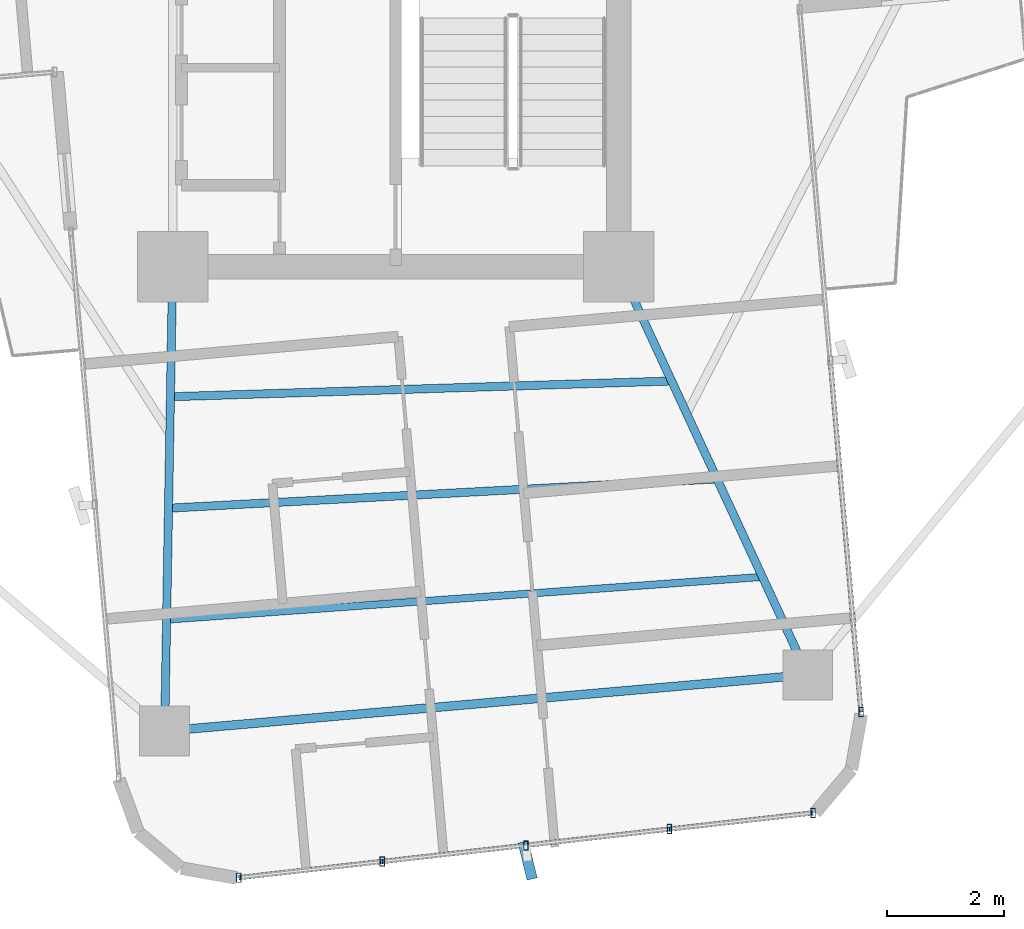
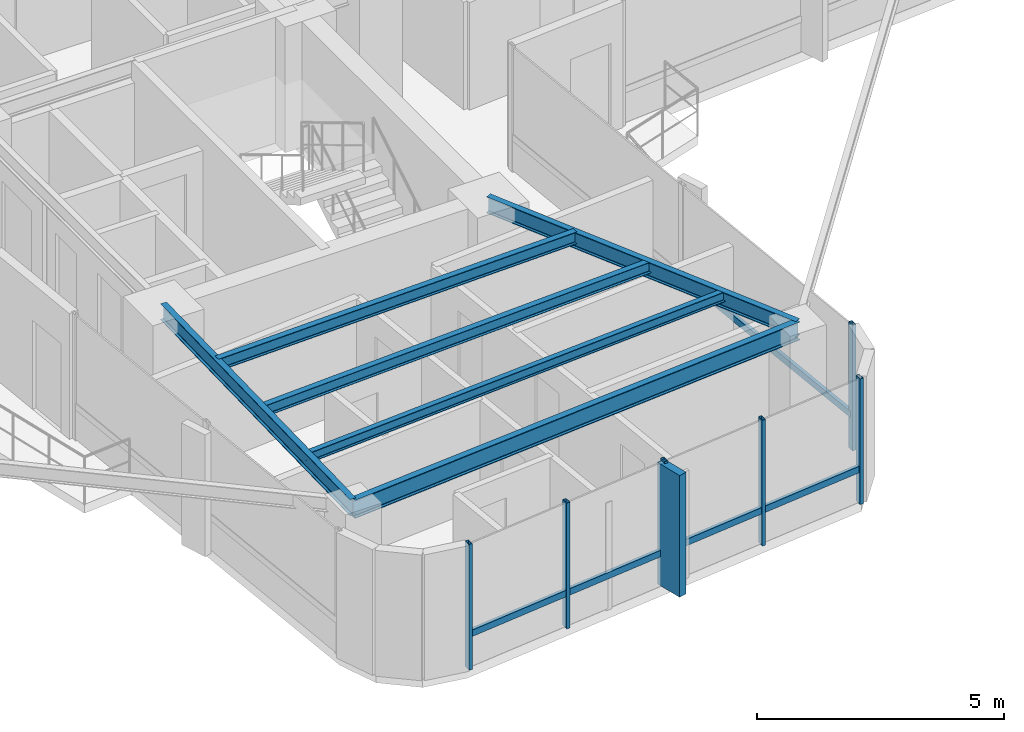
# One storey, part 6 of 24: 12 members, 6 beams, 2 elements without a shape of their own.
"""IFC4 building model written with IfcOpenShell, lengths in metres."""

from ifc_helpers import new_model, si_unit, direction, frame, origin, origin_2d, place, context, subcontext, project, spatial, rectangle, hollow_rectangle, i_section, extrude, source, transform, mapped, material, material_profile, profile_set, type_object, element, aggregate, save


model = new_model("IFC4")

# Units and contexts
model_context = context("Model", 3, precision=1e-05, world=origin(), true_north=direction((0.0, 1.0)))
body_context = subcontext(model_context, "Body", "Model", "MODEL_VIEW")
ifc_project = project(units=[si_unit("LENGTHUNIT", "METRE"), si_unit("AREAUNIT", "SQUARE_METRE"), si_unit("VOLUMEUNIT", "CUBIC_METRE"), si_unit("PLANEANGLEUNIT", "RADIAN"), si_unit("MASSUNIT", "GRAM", prefix="KILO")], contexts=[model_context])

# Site, building, storey
site_placement = place(None, origin())
site = spatial("IfcSite", under=ifc_project, at=site_placement, CompositionType="ELEMENT")
building_placement = place(site_placement, origin())
building = spatial("IfcBuilding", under=site, at=building_placement, Name="Sahyath Konkavel Grand Hotel", CompositionType="ELEMENT")
storey_placement = place(building_placement, frame((0.0, 0.0, 181.89990234375)))
storey = spatial("IfcBuildingStorey", under=building, at=storey_placement, Name="L50", CompositionType="ELEMENT", Elevation=181.89990234375)

# Beams
ifc_material_1 = material(Name="Steel E350", Category="steel")
ifc_material_profile_1 = material_profile(ifc_material_1, i_section(OverallWidth=0.139892578125, OverallDepth=0.39990234375, WebThickness=0.0087890625, FlangeThickness=0.01611328125, FilletRadius=0.013916015625, at=origin_2d()), Name="ISMB 400")
ifc_profile_set_1 = profile_set([ifc_material_profile_1], Name="Steel E350")
beam_type_1 = type_object("IfcBeamType", Name="BM-ISMB400", PredefinedType="BEAM", material=ifc_profile_set_1)
shared_shape_1 = source(origin(), body_context, "Body", "SweptSolid", [
    extrude(i_section(OverallWidth=0.139892578125, OverallDepth=0.39990234375, WebThickness=0.0087890625, FlangeThickness=0.01611328125, FilletRadius=0.013916015625, at=origin_2d()), origin(), (0.0, 0.0, 1.0), 7.913330078125),
])
beam_1_placement = place(storey_placement, frame((-3.800048828125, -10.199951171875, 2.91015625), z_axis=(-0.017215419232, -0.999851803689, 0.0), x_axis=(0.999851803689, -0.017215419232, 0.0)))
element("IfcBeam", 1, at=beam_1_placement, inside=storey, type_object=beam_type_1, Name="L50 Cruciform Radial Girder SA", PredefinedType="BEAM", context=body_context, shape_type="MappedRepresentation", body=[
    mapped(shared_shape_1, transform((0.0, 0.0, 0.0), scale=1.0)),
])
shared_shape_2 = source(origin(), body_context, "Body", "SweptSolid", [
    extrude(i_section(OverallWidth=0.139892578125, OverallDepth=0.39990234375, WebThickness=0.0087890625, FlangeThickness=0.01611328125, FilletRadius=0.013916015625, at=origin_2d()), origin(), (0.0, 0.0, 1.0), 7.66357421875),
])
beam_2_placement = place(storey_placement, frame((3.800048828125, -10.199951171875, 2.91015625), z_axis=(0.420395127561, -0.907341135804, 0.0), x_axis=(0.907341135804, 0.420395127561, 0.0)))
element("IfcBeam", 2, at=beam_2_placement, inside=storey, type_object=beam_type_1, Name="L50 Cruciform Radial Girder SB", PredefinedType="BEAM", context=body_context, shape_type="MappedRepresentation", body=[
    mapped(shared_shape_2, transform((0.0, 0.0, 0.0), scale=1.0)),
])
ifc_material_profile_2 = material_profile(ifc_material_1, i_section(OverallWidth=0.14990234375, OverallDepth=0.449951171875, WebThickness=0.009521484375, FlangeThickness=0.017333984375, FilletRadius=0.014892578125, at=origin_2d()), Name="ISMB 450")
ifc_profile_set_2 = profile_set([ifc_material_profile_2], Name="Steel E350")
beam_type_2 = type_object("IfcBeamType", Name="BM-ISMB450", PredefinedType="BEAM", material=ifc_profile_set_2)
shared_shape_3 = source(origin(), body_context, "Body", "SweptSolid", [
    extrude(i_section(OverallWidth=0.14990234375, OverallDepth=0.449951171875, WebThickness=0.009521484375, FlangeThickness=0.017333984375, FilletRadius=0.014892578125, at=origin_2d()), origin(), (0.0, 0.0, 1.0), 10.999755859375),
])
beam_3_placement = place(storey_placement, frame((-3.936279296875, -18.112060546875, 2.885009765625), z_axis=(0.99619439202, 0.087159241098, 0.0), x_axis=(-0.087159241098, 0.99619439202, 0.0)))
element("IfcBeam", 3, at=beam_3_placement, inside=storey, type_object=beam_type_2, Name="L50 Wing Tip Edge Beam S", PredefinedType="BEAM", context=body_context, shape_type="MappedRepresentation", body=[
    mapped(shared_shape_3, transform((0.0, 0.0, 0.0), scale=1.0)),
])
ifc_material_profile_3 = material_profile(ifc_material_1, i_section(OverallWidth=0.139892578125, OverallDepth=0.300048828125, WebThickness=0.0078125, FlangeThickness=0.01318359375, FilletRadius=0.013916015625, at=origin_2d()), Name="ISMB 300")
ifc_profile_set_3 = profile_set([ifc_material_profile_3], Name="Steel E350")
beam_type_3 = type_object("IfcBeamType", Name="BM-ISMB300", PredefinedType="BEAM", material=ifc_profile_set_3)
shared_shape_4 = source(origin(), body_context, "Body", "SweptSolid", [
    extrude(i_section(OverallWidth=0.139892578125, OverallDepth=0.300048828125, WebThickness=0.0078125, FlangeThickness=0.01318359375, FilletRadius=0.013916015625, at=origin_2d()), origin(), (0.0, 0.0, 1.0), 8.54443359375),
])
beam_4_placement = place(storey_placement, frame((-3.838134765625, -12.415283203125, 2.960205078125), z_axis=(0.999506849365, 0.031401561632, 0.0), x_axis=(-0.031401561632, 0.999506849365, 0.0)))
element("IfcBeam", 4, at=beam_4_placement, inside=storey, type_object=beam_type_3, Name="L50 Secondary Floor Beam S-1", PredefinedType="BEAM", context=body_context, shape_type="MappedRepresentation", body=[
    mapped(shared_shape_4, transform((0.0, 0.0, 0.0), scale=1.0)),
])
ifc_material_profile_4 = material_profile(ifc_material_1, i_section(OverallWidth=0.139892578125, OverallDepth=0.27490234375, WebThickness=0.00634765625, FlangeThickness=0.0087890625, FilletRadius=0.012939453125, at=origin_2d()), Name="ISLB 275")
ifc_profile_set_4 = profile_set([ifc_material_profile_4], Name="Steel E350")
beam_type_4 = type_object("IfcBeamType", Name="BM-ISLB275", PredefinedType="BEAM", material=ifc_profile_set_4)
shared_shape_5 = source(origin(), body_context, "Body", "SweptSolid", [
    extrude(i_section(OverallWidth=0.139892578125, OverallDepth=0.27490234375, WebThickness=0.00634765625, FlangeThickness=0.0087890625, FilletRadius=0.012939453125, at=origin_2d()), origin(), (0.0, 0.0, 1.0), 9.359375),
])
beam_5_placement = place(storey_placement, frame((-3.870849609375, -14.314208984375, 2.97265625), z_axis=(0.998580397723, 0.053265272769, 0.0), x_axis=(-0.053265272769, 0.998580397723, 0.0)))
element("IfcBeam", 5, at=beam_5_placement, inside=storey, type_object=beam_type_4, Name="L50 Secondary Floor Beam S-2", PredefinedType="BEAM", context=body_context, shape_type="MappedRepresentation", body=[
    mapped(shared_shape_5, transform((0.0, 0.0, 0.0), scale=1.0)),
])
ifc_material_profile_5 = material_profile(ifc_material_1, i_section(OverallWidth=0.125, OverallDepth=0.25, WebThickness=0.0068359375, FlangeThickness=0.012451171875, FilletRadius=0.012939453125, at=origin_2d()), Name="ISMB 250")
ifc_profile_set_5 = profile_set([ifc_material_profile_5], Name="Steel E350")
beam_type_5 = type_object("IfcBeamType", Name="BM-ISMB250", PredefinedType="BEAM", material=ifc_profile_set_5)
shared_shape_6 = source(origin(), body_context, "Body", "SweptSolid", [
    extrude(i_section(OverallWidth=0.125, OverallDepth=0.25, WebThickness=0.0068359375, FlangeThickness=0.012451171875, FilletRadius=0.012939453125, at=origin_2d()), origin(), (0.0, 0.0, 1.0), 10.178466796875),
])
beam_6_placement = place(storey_placement, frame((-3.90380859375, -16.213134765625, 2.985107421875), z_axis=(0.997435268886, 0.071574327683, 0.0), x_axis=(-0.071574327683, 0.997435268886, 0.0)))
element("IfcBeam", 6, at=beam_6_placement, inside=storey, type_object=beam_type_5, Name="L50 Secondary Floor Beam S-3", PredefinedType="BEAM", context=body_context, shape_type="MappedRepresentation", body=[
    mapped(shared_shape_6, transform((0.0, 0.0, 0.0), scale=1.0)),
])

# Curtain wall, members
ifc_material_2 = material(Name="Anodised Bronze Aluminium & Low-E Glazing", Category="aluminium")
curtain_wall_type = type_object("IfcCurtainWallType", Name="CW-ZONE3", PredefinedType="NOTDEFINED", material=ifc_material_2)
curtain_wall_1_placement = place(storey_placement, origin())
curtain_wall_1 = element("IfcCurtainWall", 7, at=curtain_wall_1_placement, inside=storey, type_object=curtain_wall_type, Name="L50 Unitised Curtain Wall F28", PredefinedType="NOTDEFINED")
ifc_material_3 = material(Name="Warm Buff Sandstone Cladding on Concrete C50/60", Category="masonry")
ifc_material_profile_6 = material_profile(ifc_material_3, rectangle(XDim=0.179931640625, YDim=0.64990234375, at=origin_2d()), Name="FIN 180x650")
ifc_profile_set_6 = profile_set([ifc_material_profile_6], Name="Warm Buff Sandstone Cladding on Concrete C50/60")
member_type_1 = type_object("IfcMemberType", Name="FIN-SANDSTONE-650", PredefinedType="MULLION", material=ifc_profile_set_6)
shared_shape_7 = source(origin(), body_context, "Body", "SweptSolid", [
    extrude(rectangle(XDim=0.179931640625, YDim=0.64990234375, at=origin_2d()), origin(), (0.0, 0.0, 1.0), 3.010009765625),
])
member_1_placement = place(storey_placement, frame((2.248291015625, -20.3173828125, 0.050048828125), z_axis=(0.0, 0.0, 1.0), x_axis=(0.971590441254, 0.236668575149, 0.0)))
member_1 = element("IfcMember", 8, at=member_1_placement, type_object=member_type_1, Name="L50 Sandstone Vertical Solar Fin FIN F28-2", PredefinedType="MULLION", context=body_context, shape_type="MappedRepresentation", body=[
    mapped(shared_shape_7, transform((0.0, 0.0, 0.0), scale=1.0)),
])
ifc_material_4 = material(Name="Anodised Bronze Aluminium", Category="aluminium")
ifc_material_profile_7 = material_profile(ifc_material_4, hollow_rectangle(XDim=0.080078125, YDim=0.159912109375, WallThickness=0.006103515625, at=origin_2d()), Name="RHS 160x80x6")
ifc_profile_set_7 = profile_set([ifc_material_profile_7], Name="Anodised Bronze Aluminium")
member_type_2 = type_object("IfcMemberType", Name="CW-MUL-160", PredefinedType="MULLION", material=ifc_profile_set_7)
shared_shape_8 = source(origin(), body_context, "Body", "SweptSolid", [
    extrude(hollow_rectangle(XDim=0.080078125, YDim=0.159912109375, WallThickness=0.006103515625, at=origin_2d()), origin(), (0.0, 0.0, 1.0), 3.110107421875),
])
member_2_placement = place(storey_placement, frame((-2.673828125, -20.610595703125, 0.0), z_axis=(0.0, 0.0, 1.0), x_axis=(1.0, 0.0, 0.0)))
member_2 = element("IfcMember", 9, at=member_2_placement, type_object=member_type_2, Name="L50 Curtain Wall Mullion F28-0", PredefinedType="MULLION", context=body_context, shape_type="MappedRepresentation", body=[
    mapped(shared_shape_8, transform((0.0, 0.0, 0.0), scale=1.0)),
])
member_3_placement = place(storey_placement, frame((-0.227294921875, -20.334716796875, 0.0), z_axis=(0.0, 0.0, 1.0), x_axis=(1.0, 0.0, 0.0)))
member_3 = element("IfcMember", 10, at=member_3_placement, type_object=member_type_2, Name="L50 Curtain Wall Mullion F28-1", PredefinedType="MULLION", context=body_context, shape_type="MappedRepresentation", body=[
    mapped(shared_shape_8, transform((0.0, 0.0, 0.0), scale=1.0)),
])
member_4_placement = place(storey_placement, frame((2.21923828125, -20.05908203125, 0.0), z_axis=(0.0, 0.0, 1.0), x_axis=(1.0, 0.0, 0.0)))
member_4 = element("IfcMember", 11, at=member_4_placement, type_object=member_type_2, Name="L50 Curtain Wall Mullion F28-2", PredefinedType="MULLION", context=body_context, shape_type="MappedRepresentation", body=[
    mapped(shared_shape_8, transform((0.0, 0.0, 0.0), scale=1.0)),
])
member_5_placement = place(storey_placement, frame((4.665771484375, -19.783203125, 0.0), z_axis=(0.0, 0.0, 1.0), x_axis=(1.0, 0.0, 0.0)))
member_5 = element("IfcMember", 12, at=member_5_placement, type_object=member_type_2, Name="L50 Curtain Wall Mullion F28-3", PredefinedType="MULLION", context=body_context, shape_type="MappedRepresentation", body=[
    mapped(shared_shape_8, transform((0.0, 0.0, 0.0), scale=1.0)),
])
member_6_placement = place(storey_placement, frame((7.1123046875, -19.507568359375, 0.0), z_axis=(0.0, 0.0, 1.0), x_axis=(1.0, 0.0, 0.0)))
member_6 = element("IfcMember", 13, at=member_6_placement, type_object=member_type_2, Name="L50 Curtain Wall Mullion F28-4", PredefinedType="MULLION", context=body_context, shape_type="MappedRepresentation", body=[
    mapped(shared_shape_8, transform((0.0, 0.0, 0.0), scale=1.0)),
])

# Curtain wall, member
curtain_wall_2_placement = place(storey_placement, origin())
curtain_wall_2 = element("IfcCurtainWall", 14, at=curtain_wall_2_placement, inside=storey, type_object=curtain_wall_type, Name="L50 Unitised Curtain Wall F31", PredefinedType="NOTDEFINED")
member_7_placement = place(storey_placement, frame((7.930419921875, -17.78662109375, 0.0), z_axis=(0.0, 0.0, 1.0), x_axis=(1.0, 0.0, 0.0)))
member_7 = element("IfcMember", 15, at=member_7_placement, type_object=member_type_2, Name="L50 Curtain Wall Mullion F31-0", PredefinedType="MULLION", context=body_context, shape_type="MappedRepresentation", body=[
    mapped(shared_shape_8, transform((0.0, 0.0, 0.0), scale=1.0)),
])

# Member
ifc_material_profile_8 = material_profile(ifc_material_4, hollow_rectangle(XDim=0.080078125, YDim=0.159912109375, WallThickness=0.006103515625, at=origin_2d()), Name="RHS 160x80x6")
ifc_profile_set_8 = profile_set([ifc_material_profile_8], Name="Anodised Bronze Aluminium")
member_type_3 = type_object("IfcMemberType", Name="CW-TRN-160", PredefinedType="USERDEFINED", material=ifc_profile_set_8)
shared_shape_9 = source(origin(), body_context, "Body", "SweptSolid", [
    extrude(hollow_rectangle(XDim=0.080078125, YDim=0.159912109375, WallThickness=0.006103515625, at=origin_2d()), origin(), (0.0, 0.0, 1.0), 2.462158203125),
])
member_8_placement = place(storey_placement, frame((-2.673828125, -20.610595703125, 0.85009765625), z_axis=(0.99370222711, 0.112053040279, 0.0), x_axis=(-0.112053040279, 0.99370222711, 0.0)))
member_8 = element("IfcMember", 16, at=member_8_placement, type_object=member_type_3, Name="L50 Curtain Wall Transom F28-0-spandrel", ObjectType="TRANSOM", PredefinedType="USERDEFINED", context=body_context, shape_type="MappedRepresentation", body=[
    mapped(shared_shape_9, transform((0.0, 0.0, 0.0), scale=1.0)),
])

member_9_placement = place(storey_placement, frame((2.21923828125, -20.05908203125, 0.85009765625), z_axis=(0.99370222711, 0.112053040279, 0.0), x_axis=(-0.112053040279, 0.99370222711, 0.0)))
member_9 = element("IfcMember", 17, at=member_9_placement, type_object=member_type_3, Name="L50 Curtain Wall Transom F28-2-spandrel", ObjectType="TRANSOM", PredefinedType="USERDEFINED", context=body_context, shape_type="MappedRepresentation", body=[
    mapped(shared_shape_9, transform((0.0, 0.0, 0.0), scale=1.0)),
])

shared_shape_10 = source(origin(), body_context, "Body", "SweptSolid", [
    extrude(hollow_rectangle(XDim=0.080078125, YDim=0.159912109375, WallThickness=0.006103515625, at=origin_2d()), origin(), (0.0, 0.0, 1.0), 2.4619140625),
])
member_10_placement = place(storey_placement, frame((-0.227294921875, -20.334716796875, 0.85009765625), z_axis=(0.993713263833, 0.111955121731, 0.0), x_axis=(-0.111955121731, 0.993713263833, 0.0)))
member_10 = element("IfcMember", 18, at=member_10_placement, type_object=member_type_3, Name="L50 Curtain Wall Transom F28-1-spandrel", ObjectType="TRANSOM", PredefinedType="USERDEFINED", context=body_context, shape_type="MappedRepresentation", body=[
    mapped(shared_shape_10, transform((0.0, 0.0, 0.0), scale=1.0)),
])

member_11_placement = place(storey_placement, frame((4.665771484375, -19.783203125, 0.85009765625), z_axis=(0.993713263833, 0.111955121731, 0.0), x_axis=(-0.111955121731, 0.993713263833, 0.0)))
member_11 = element("IfcMember", 19, at=member_11_placement, type_object=member_type_3, Name="L50 Curtain Wall Transom F28-3-spandrel", ObjectType="TRANSOM", PredefinedType="USERDEFINED", context=body_context, shape_type="MappedRepresentation", body=[
    mapped(shared_shape_10, transform((0.0, 0.0, 0.0), scale=1.0)),
])

aggregate(curtain_wall_1, [member_2, member_3, member_4, member_1, member_5, member_6, member_8, member_10, member_9, member_11])

shared_shape_11 = source(origin(), body_context, "Body", "SweptSolid", [
    extrude(hollow_rectangle(XDim=0.080078125, YDim=0.159912109375, WallThickness=0.006103515625, at=origin_2d()), origin(), (0.0, 0.0, 1.0), 6.01025390625),
])
member_12_placement = place(storey_placement, frame((7.930419921875, -17.78662109375, 0.85009765625), z_axis=(-0.087172997156, 0.996193188376, 0.0), x_axis=(-0.996193188376, -0.087172997156, 0.0)))
member_12 = element("IfcMember", 20, at=member_12_placement, type_object=member_type_3, Name="L50 Curtain Wall Transom F31-0-spandrel", ObjectType="TRANSOM", PredefinedType="USERDEFINED", context=body_context, shape_type="MappedRepresentation", body=[
    mapped(shared_shape_11, transform((0.0, 0.0, 0.0), scale=1.0)),
])

aggregate(curtain_wall_2, [member_7, member_12])

save(model, "model.ifc")
